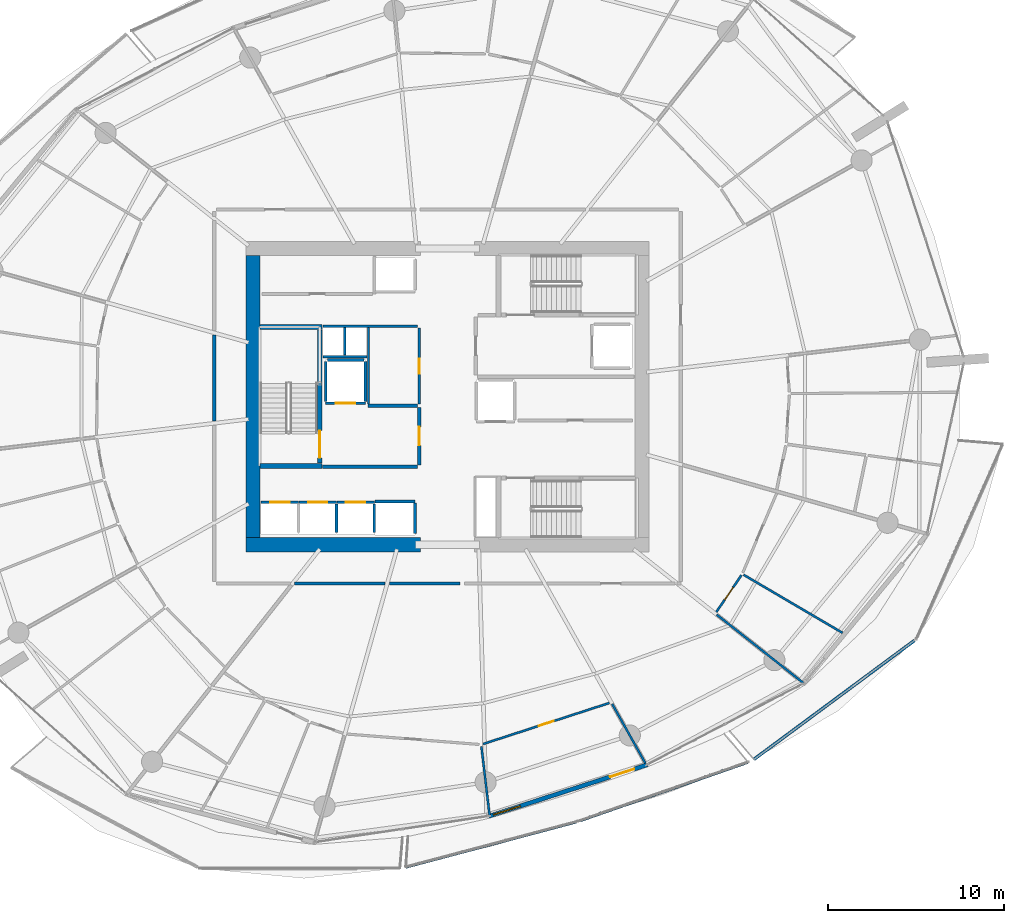
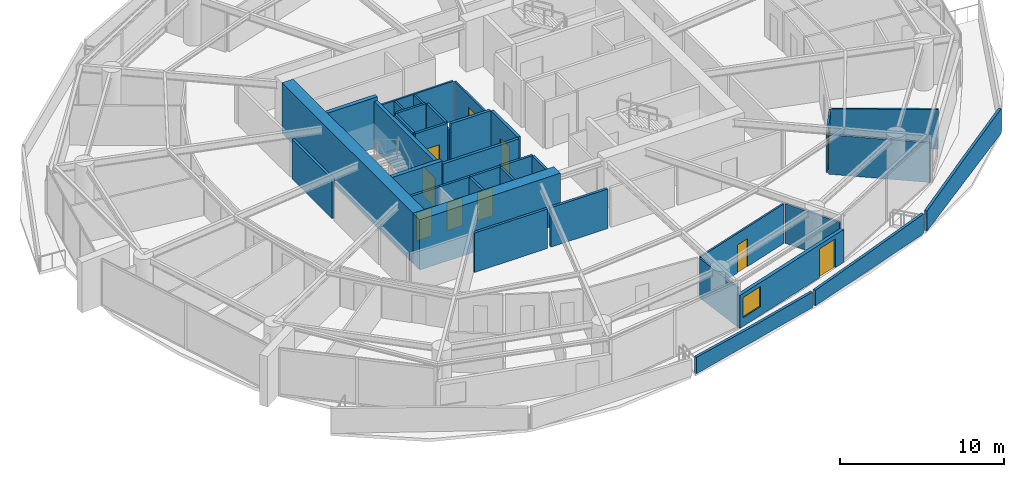
# One storey, part 12 of 22: 37 walls, 10 doors, 1 window, 11 openings.
"""IFC4 building model written with IfcOpenShell, lengths in metres."""

from ifc_helpers import new_model, si_unit, direction, frame, frame_2d, origin, place, context, subcontext, project, spatial, polyline, rectangle, outline, extrude, material, layer, layer_set, type_object, element, fill, save


model = new_model("IFC4")

# Units and contexts
model_context = context("Model", 3, precision=1e-05, world=origin(), true_north=direction((0.0, 1.0)))
body_context = subcontext(model_context, "Body", "Model", "MODEL_VIEW")
ifc_project = project(units=[si_unit("LENGTHUNIT", "METRE"), si_unit("AREAUNIT", "SQUARE_METRE"), si_unit("VOLUMEUNIT", "CUBIC_METRE"), si_unit("PLANEANGLEUNIT", "RADIAN"), si_unit("MASSUNIT", "GRAM", prefix="KILO")], contexts=[model_context])

# Site, building, storey
site_placement = place(None, origin())
site = spatial("IfcSite", under=ifc_project, at=site_placement, CompositionType="ELEMENT")
building_placement = place(site_placement, origin())
building = spatial("IfcBuilding", under=site, at=building_placement, Name="Kazma Halo Residences", CompositionType="ELEMENT")
storey_placement = place(building_placement, frame((0.0, 0.0, 90.14990234375)))
storey = spatial("IfcBuildingStorey", under=building, at=storey_placement, Name="L22", CompositionType="ELEMENT", Elevation=90.14990234375)

# Walls
ifc_material_1 = material(Name="White Concrete C50/60 Balustrade", Category="concrete")
ifc_layer_1 = layer(ifc_material_1, 0.179931640625)
ifc_layer_set_1 = layer_set([ifc_layer_1], Name="White Concrete C50/60 Balustrade")
wall_type_1 = type_object("IfcWallType", Name="WL-BAL-WAVE-180", PredefinedType="PARAPET", material=ifc_layer_set_1)
wall_1_placement = place(storey_placement, frame((46.064697265625, 15.327880859375, 0.0), z_axis=(0.0, 0.0, 1.0), x_axis=(0.966557844724, 0.25644869429, 0.0)))
element("IfcWall", 1, at=wall_1_placement, inside=storey, type_object=wall_type_1, Name="L22 white wave balustrade wall SSE.1", PredefinedType="PARAPET", context=body_context, shape_type="SweptSolid", body=[
    extrude(outline(polyline([(0.0, 0.0), (9.97802734375, 0.0), (9.977783203125, 1.148193359375), (4.989013671875, 1.127197265625), (0.0, 1.22412109375), (0.0, 0.0)])), frame((0.0, 0.08984375, 0.0), z_axis=(0.0, -1.0, 0.0), x_axis=(1.0, 0.0, 0.0)), (0.0, 0.0, 1.0), 0.179931640625),
])
wall_2_placement = place(storey_placement, frame((55.938232421875, 17.95703125, 0.0), z_axis=(0.0, 0.0, 1.0), x_axis=(0.944336605893, 0.328980812161, 0.0)))
element("IfcWall", 2, at=wall_2_placement, inside=storey, type_object=wall_type_1, Name="L22 white wave balustrade wall SSE.2", PredefinedType="PARAPET", context=body_context, shape_type="SweptSolid", body=[
    extrude(outline(polyline([(0.0, 0.0), (10.102294921875, 0.0), (10.102294921875, 1.483154296875), (5.05126953125, 1.2841796875), (0.0, 1.148193359375), (0.0, 0.0)])), frame((0.0, 0.08984375, 0.0), z_axis=(0.0, -1.0, 0.0), x_axis=(1.0, 0.0, 0.0)), (0.0, 0.0, 1.0), 0.179931640625),
])
wall_3_placement = place(storey_placement, frame((65.7919921875, 21.424072265625, 0.0), z_axis=(0.0, 0.0, 1.0), x_axis=(0.803659411402, 0.59508953147, 0.0)))
element("IfcWall", 3, at=wall_3_placement, inside=storey, type_object=wall_type_1, Name="L22 white wave balustrade wall SE.1", PredefinedType="PARAPET", context=body_context, shape_type="SweptSolid", body=[
    extrude(outline(polyline([(0.0, 0.0), (11.337890625, 0.0), (11.337890625, 1.83203125), (5.6689453125, 1.696044921875), (0.0, 1.4970703125), (0.0, 0.0)])), frame((0.0, 0.08984375, 0.0), z_axis=(0.0, -1.0, 0.0), x_axis=(1.0, 0.0, 0.0)), (0.0, 0.0, 1.0), 0.179931640625),
])
ifc_material_2 = material(Name="Concrete C80/95", Category="concrete")
ifc_layer_2 = layer(ifc_material_2, 0.800048828125)
ifc_layer_set_2 = layer_set([ifc_layer_2], Name="Concrete C80/95")
wall_type_2 = type_object("IfcWallType", Name="WL-CORE-800", PredefinedType="SHEAR", material=ifc_layer_set_2)
wall_4_placement = place(storey_placement, frame((37.0, 33.60009765625, 0.0), z_axis=(0.0, 0.0, 1.0), x_axis=(1.0, 0.0, 0.0)))
element("IfcWall", 4, at=wall_4_placement, inside=storey, type_object=wall_type_2, Name="L22 central core shear wall SW", PredefinedType="SHEAR", context=body_context, shape_type="SweptSolid", body=[
    extrude(rectangle(XDim=9.89990234375, YDim=0.800048828125, at=frame_2d((4.949951171875, 0.0))), origin(), (0.0, 0.0, 1.0), 3.75),
])
wall_5_placement = place(storey_placement, frame((37.39990234375, 34.0, 0.0), z_axis=(0.0, 0.0, 1.0), x_axis=(0.0, 1.0, 0.0)))
element("IfcWall", 5, at=wall_5_placement, inside=storey, type_object=wall_type_2, Name="L22 central core shear wall W", PredefinedType="SHEAR", context=body_context, shape_type="SweptSolid", body=[
    extrude(rectangle(XDim=16.0, YDim=0.800048828125, at=frame_2d((8.0, 0.0))), origin(), (0.0, 0.0, 1.0), 3.75),
])
ifc_material_3 = material(Name="Concrete C60/75", Category="concrete")
ifc_layer_3 = layer(ifc_material_3, 0.280029296875)
ifc_layer_set_3 = layer_set([ifc_layer_3], Name="Concrete C60/75")
wall_type_3 = type_object("IfcWallType", Name="WL-CORE-ST-280", PredefinedType="SHEAR", material=ifc_layer_set_3)
for number, where, z_axis, x_axis, name in (
    (6, (37.800048828125, 38.06005859375, 0.0), (0.0, 0.0, 1.0), (1.0, 0.0, 0.0), "L22 stairwell bearing wall ST01-S"),
    (7, (37.800048828125, 45.93994140625, 0.0), (0.0, 0.0, 1.0), (1.0, 0.0, 0.0), "L22 stairwell bearing wall ST01-N"),
):
    element("IfcWall", number, at=place(storey_placement, frame(where, z_axis=z_axis, x_axis=x_axis)), inside=storey, type_object=wall_type_3, Name=name, PredefinedType="SHEAR", context=body_context, shape_type="SweptSolid", body=[
        extrude(rectangle(XDim=3.5, YDim=0.280029296875, at=frame_2d((1.75, 0.0))), origin(), (0.0, 0.0, 1.0), 3.75),
    ])
ifc_material_4 = material(Name="Acoustic Twin-Stud Gypsum")
ifc_layer_4 = layer(ifc_material_4, 0.179931640625)
ifc_layer_set_4 = layer_set([ifc_layer_4], Name="Acoustic Twin-Stud Gypsum")
wall_type_4 = type_object("IfcWallType", Name="WL-DEM-180", PredefinedType="PARTITIONING", material=ifc_layer_set_4)
wall_6_placement = place(storey_placement, frame((35.199951171875, 45.489990234375, 0.0), z_axis=(0.0, 0.0, 1.0), x_axis=(0.0, -1.0, 0.0)))
element("IfcWall", 8, at=wall_6_placement, inside=storey, type_object=wall_type_4, Name="L22 Apartment 1 inner wall 6", PredefinedType="PARTITIONING", context=body_context, shape_type="SweptSolid", body=[
    extrude(rectangle(XDim=4.885009765625, YDim=0.179931640625, at=frame_2d((2.4423828125, 0.0))), origin(), (0.0, 0.0, 1.0), 2.940185546875),
])
wall_7_placement = place(storey_placement, frame((39.763671875, 31.39990234375, 0.0), z_axis=(0.0, 0.0, 1.0), x_axis=(1.0, 0.0, 0.0)))
element("IfcWall", 9, at=wall_7_placement, inside=storey, type_object=wall_type_4, Name="L22 Apartment 2 inner wall 9", PredefinedType="PARTITIONING", context=body_context, shape_type="SweptSolid", body=[
    extrude(rectangle(XDim=5.126708984375, YDim=0.179931640625, at=frame_2d((2.5634765625, 0.0))), origin(), (0.0, 0.0, 1.0), 2.940185546875),
])
wall_8_placement = place(storey_placement, frame((45.130615234375, 31.39990234375, 0.0), z_axis=(0.0, 0.0, 1.0), x_axis=(1.0, 0.0, 0.0)))
element("IfcWall", 10, at=wall_8_placement, inside=storey, type_object=wall_type_4, Name="L22 Apartment 2 inner wall 10", PredefinedType="PARTITIONING", context=body_context, shape_type="SweptSolid", body=[
    extrude(rectangle(XDim=4.00390625, YDim=0.179931640625, at=frame_2d((2.001953125, 0.0))), origin(), (0.0, 0.0, 1.0), 2.940185546875),
])

# Wall, openings, door, window
ifc_material_5 = material(Name="Insulated Pale-Metal Composite Wall")
ifc_layer_5 = layer(ifc_material_5, 0.239990234375)
ifc_layer_set_5 = layer_set([ifc_layer_5], Name="Insulated Pale-Metal Composite Wall")
wall_type_5 = type_object("IfcWallType", Name="WL-EXT-HOST-240", PredefinedType="SOLIDWALL", material=ifc_layer_set_5)
wall_9_placement = place(storey_placement, frame((50.76708984375, 18.202880859375, 0.0), z_axis=(0.0, 0.0, 1.0), x_axis=(0.951052494852, 0.30902937083, 0.0)))
wall_9 = element("IfcWall", 11, at=wall_9_placement, inside=storey, type_object=wall_type_5, Name="L22 exterior terrace-access wall B12", PredefinedType="SOLIDWALL", context=body_context, shape_type="SweptSolid", body=[
    extrude(rectangle(XDim=9.44384765625, YDim=0.239990234375, at=frame_2d((4.721923828125, 0.0))), origin(), (0.0, 0.0, 1.0), 2.4501953125),
])
opening_1_placement = place(wall_9_placement, frame((7.223876953125, 0.0, 0.0)))
opening_1 = element("IfcOpeningElement", 12, at=opening_1_placement, cuts=wall_9, Name="Opening DTR-1600", PredefinedType="OPENING", context=body_context, shape_type="SweptSolid", body=[
    extrude(rectangle(XDim=1.449951171875, YDim=2.14990234375, at=frame_2d((0.72509765625, 1.074951171875))), frame((0.0, 0.1298828125, 0.0), z_axis=(0.0, -1.0, 0.0), x_axis=(1.0, 0.0, 0.0)), (0.0, 0.0, 1.0), 0.260009765625),
])
opening_2_placement = place(wall_9_placement, frame((0.280029296875, 0.0, 0.64990234375)))
opening_2 = element("IfcOpeningElement", 13, at=opening_2_placement, cuts=wall_9, Name="Opening W-1800", PredefinedType="OPENING", context=body_context, shape_type="SweptSolid", body=[
    extrude(rectangle(XDim=1.60009765625, YDim=1.5, at=frame_2d((0.800048828125, 0.75))), frame((0.0, 0.1298828125, 0.0), z_axis=(0.0, -1.0, 0.0), x_axis=(1.0, 0.0, 0.0)), (0.0, 0.0, 1.0), 0.260009765625),
])
ifc_material_6 = material(Name="Aluminium AW-6063 T6 Double-Glazed Terrace Door", Category="aluminium")
door_type_1 = type_object("IfcDoorType", Name="DR-EXT-TERR-1600", OperationType="NOTDEFINED", PredefinedType="DOOR", material=ifc_material_6)
door_1_placement = place(opening_1_placement, origin())
door_1 = element("IfcDoor", 14, at=door_1_placement, inside=storey, type_object=door_type_1, Name="L22 B12 balcony terrace door", OperationType="DOUBLE_DOOR_SLIDING", OverallHeight=2.14990234375, OverallWidth=1.449951171875, PredefinedType="DOOR", context=body_context, shape_type="SweptSolid", body=[
    extrude(rectangle(XDim=1.449951171875, YDim=2.14990234375, at=frame_2d((0.72509765625, 1.074951171875))), frame((0.0, 0.02490234375, 0.0), z_axis=(0.0, -1.0, 0.0), x_axis=(1.0, 0.0, 0.0)), (0.0, 0.0, 1.0), 0.050048828125),
])
fill(opening_1, door_1)
ifc_material_7 = material(Name="Clear Triple-Silver Low-E Glass in Aluminium AW-6063 T6 Frame", Category="aluminium")
window_type = type_object("IfcWindowType", Name="WIN-RES-1800", PartitioningType="DOUBLE_PANEL_VERTICAL", PredefinedType="WINDOW", material=ifc_material_7)
window_placement = place(opening_2_placement, origin())
window = element("IfcWindow", 15, at=window_placement, inside=storey, type_object=window_type, Name="L22 B12 apartment window", OverallHeight=1.5, OverallWidth=1.60009765625, PartitioningType="SINGLE_PANEL", PredefinedType="WINDOW", context=body_context, shape_type="SweptSolid", body=[
    extrude(rectangle(XDim=1.60009765625, YDim=1.5, at=frame_2d((0.800048828125, 0.75))), frame((0.0, 0.030029296875, 0.0), z_axis=(0.0, -1.0, 0.0), x_axis=(1.0, 0.0, 0.0)), (0.0, 0.0, 1.0), 0.06005859375),
])
fill(opening_2, window)

# Wall, opening, door
ifc_material_8 = material(Name="Fire-Rated Blockwork Masonry", Category="masonry")
ifc_layer_6 = layer(ifc_material_8, 0.199951171875)
ifc_layer_set_6 = layer_set([ifc_layer_6], Name="Fire-Rated Blockwork Masonry")
wall_type_6 = type_object("IfcWallType", Name="WL-FLB-200", PredefinedType="PARTITIONING", material=ifc_layer_set_6)
wall_10_placement = place(storey_placement, frame((37.864990234375, 36.0048828125, 0.0), z_axis=(0.0, 0.0, 1.0), x_axis=(1.0, 0.0, 0.0)))
wall_10 = element("IfcWall", 16, at=wall_10_placement, inside=storey, type_object=wall_type_6, Name="L22 lift shaft PL-01 front wall", PredefinedType="PARTITIONING", context=body_context, shape_type="SweptSolid", body=[
    extrude(rectangle(XDim=2.110107421875, YDim=0.159912109375, at=frame_2d((1.05517578125, 0.0))), origin(), (0.0, 0.0, 1.0), 3.5),
])
opening_3_placement = place(wall_10_placement, frame((0.5048828125, 0.0, 0.0)))
opening_3 = element("IfcOpeningElement", 17, at=opening_3_placement, cuts=wall_10, Name="Opening LD-PL-01", PredefinedType="OPENING", context=body_context, shape_type="SweptSolid", body=[
    extrude(rectangle(XDim=1.10009765625, YDim=2.10009765625, at=frame_2d((0.550048828125, 1.050048828125))), frame((0.0, 0.08984375, 0.0), z_axis=(0.0, -1.0, 0.0), x_axis=(1.0, 0.0, 0.0)), (0.0, 0.0, 1.0), 0.179931640625),
])
ifc_material_9 = material(Name="Stainless Steel Fire-Rated", Category="steel")
door_type_2 = type_object("IfcDoorType", Name="DR-LIFT-SLD-1100", OperationType="DOUBLE_DOOR_SLIDING", PredefinedType="DOOR", material=ifc_material_9)
door_2_placement = place(opening_3_placement, origin())
door_2 = element("IfcDoor", 18, at=door_2_placement, inside=storey, type_object=door_type_2, Name="L22 lift PL-01 sliding landing door", OperationType="DOUBLE_DOOR_SLIDING", OverallHeight=2.10009765625, OverallWidth=1.10009765625, PredefinedType="DOOR", context=body_context, shape_type="SweptSolid", body=[
    extrude(rectangle(XDim=1.10009765625, YDim=2.10009765625, at=frame_2d((0.550048828125, 1.050048828125))), frame((0.0, 0.02490234375, 0.0), z_axis=(0.0, -1.0, 0.0), x_axis=(1.0, 0.0, 0.0)), (0.0, 0.0, 1.0), 0.050048828125),
])
fill(opening_3, door_2)

wall_11_placement = place(storey_placement, frame((40.014892578125, 36.0048828125, 0.0), z_axis=(0.0, 0.0, 1.0), x_axis=(1.0, 0.0, 0.0)))
wall_11 = element("IfcWall", 19, at=wall_11_placement, inside=storey, type_object=wall_type_6, Name="L22 lift shaft PL-02 front wall", PredefinedType="PARTITIONING", context=body_context, shape_type="SweptSolid", body=[
    extrude(rectangle(XDim=2.110107421875, YDim=0.159912109375, at=frame_2d((1.05517578125, 0.0))), origin(), (0.0, 0.0, 1.0), 3.5),
])
opening_4_placement = place(wall_11_placement, frame((0.5048828125, 0.0, 0.0)))
opening_4 = element("IfcOpeningElement", 20, at=opening_4_placement, cuts=wall_11, Name="Opening LD-PL-02", PredefinedType="OPENING", context=body_context, shape_type="SweptSolid", body=[
    extrude(rectangle(XDim=1.10009765625, YDim=2.10009765625, at=frame_2d((0.550048828125, 1.050048828125))), frame((0.0, 0.08984375, 0.0), z_axis=(0.0, -1.0, 0.0), x_axis=(1.0, 0.0, 0.0)), (0.0, 0.0, 1.0), 0.179931640625),
])
door_3_placement = place(opening_4_placement, origin())
door_3 = element("IfcDoor", 21, at=door_3_placement, inside=storey, type_object=door_type_2, Name="L22 lift PL-02 sliding landing door", OperationType="DOUBLE_DOOR_SLIDING", OverallHeight=2.10009765625, OverallWidth=1.10009765625, PredefinedType="DOOR", context=body_context, shape_type="SweptSolid", body=[
    extrude(rectangle(XDim=1.10009765625, YDim=2.10009765625, at=frame_2d((0.550048828125, 1.050048828125))), frame((0.0, 0.02490234375, 0.0), z_axis=(0.0, -1.0, 0.0), x_axis=(1.0, 0.0, 0.0)), (0.0, 0.0, 1.0), 0.050048828125),
])
fill(opening_4, door_3)

# Wall
wall_12_placement = place(storey_placement, frame((42.125, 34.294921875, 0.0), z_axis=(0.0, 0.0, 1.0), x_axis=(0.0, 1.0, 0.0)))
element("IfcWall", 22, at=wall_12_placement, inside=storey, type_object=wall_type_6, Name="L22 lift shaft PL-02 side wall E", PredefinedType="PARTITIONING", context=body_context, shape_type="SweptSolid", body=[
    extrude(rectangle(XDim=1.610107421875, YDim=0.159912109375, at=frame_2d((0.80517578125, 0.0))), origin(), (0.0, 0.0, 1.0), 3.5),
])

# Wall, opening, door
wall_13_placement = place(storey_placement, frame((42.1650390625, 36.0048828125, 0.0), z_axis=(0.0, 0.0, 1.0), x_axis=(1.0, 0.0, 0.0)))
wall_13 = element("IfcWall", 23, at=wall_13_placement, inside=storey, type_object=wall_type_6, Name="L22 lift shaft PL-03 front wall", PredefinedType="PARTITIONING", context=body_context, shape_type="SweptSolid", body=[
    extrude(rectangle(XDim=2.10986328125, YDim=0.159912109375, at=frame_2d((1.054931640625, 0.0))), origin(), (0.0, 0.0, 1.0), 3.5),
])
opening_5_placement = place(wall_13_placement, frame((0.5048828125, 0.0, 0.0)))
opening_5 = element("IfcOpeningElement", 24, at=opening_5_placement, cuts=wall_13, Name="Opening LD-PL-03", PredefinedType="OPENING", context=body_context, shape_type="SweptSolid", body=[
    extrude(rectangle(XDim=1.10009765625, YDim=2.10009765625, at=frame_2d((0.550048828125, 1.050048828125))), frame((0.0, 0.08984375, 0.0), z_axis=(0.0, -1.0, 0.0), x_axis=(1.0, 0.0, 0.0)), (0.0, 0.0, 1.0), 0.179931640625),
])
door_4_placement = place(opening_5_placement, origin())
door_4 = element("IfcDoor", 25, at=door_4_placement, inside=storey, type_object=door_type_2, Name="L22 lift PL-03 sliding landing door", OperationType="DOUBLE_DOOR_SLIDING", OverallHeight=2.10009765625, OverallWidth=1.10009765625, PredefinedType="DOOR", context=body_context, shape_type="SweptSolid", body=[
    extrude(rectangle(XDim=1.10009765625, YDim=2.10009765625, at=frame_2d((0.550048828125, 1.050048828125))), frame((0.0, 0.02490234375, 0.0), z_axis=(0.0, -1.0, 0.0), x_axis=(1.0, 0.0, 0.0)), (0.0, 0.0, 1.0), 0.050048828125),
])
fill(opening_5, door_4)

# Walls
wall_14_placement = place(storey_placement, frame((44.27490234375, 34.294921875, 0.0), z_axis=(0.0, 0.0, 1.0), x_axis=(0.0, 1.0, 0.0)))
element("IfcWall", 26, at=wall_14_placement, inside=storey, type_object=wall_type_6, Name="L22 lift shaft PL-03 side wall E", PredefinedType="PARTITIONING", context=body_context, shape_type="SweptSolid", body=[
    extrude(rectangle(XDim=1.610107421875, YDim=0.159912109375, at=frame_2d((0.80517578125, 0.0))), origin(), (0.0, 0.0, 1.0), 3.5),
])
wall_15_placement = place(storey_placement, frame((44.320068359375, 36.054931640625, 0.0), z_axis=(0.0, 0.0, 1.0), x_axis=(1.0, 0.0, 0.0)))
element("IfcWall", 27, at=wall_15_placement, inside=storey, type_object=wall_type_6, Name="L22 lift shaft PX-02 front wall", PredefinedType="PARTITIONING", context=body_context, shape_type="SweptSolid", body=[
    extrude(rectangle(XDim=2.260009765625, YDim=0.159912109375, at=frame_2d((1.1298828125, 0.0))), origin(), (0.0, 0.0, 1.0), 3.5),
])
wall_16_placement = place(storey_placement, frame((46.580078125, 34.2451171875, 0.0), z_axis=(0.0, 0.0, 1.0), x_axis=(0.0, 1.0, 0.0)))
element("IfcWall", 28, at=wall_16_placement, inside=storey, type_object=wall_type_6, Name="L22 lift shaft PX-02 side wall E", PredefinedType="PARTITIONING", context=body_context, shape_type="SweptSolid", body=[
    extrude(rectangle(XDim=1.7099609375, YDim=0.159912109375, at=frame_2d((0.85498046875, 0.0))), origin(), (0.0, 0.0, 1.0), 3.5),
])

# Wall, opening, door
wall_17_placement = place(storey_placement, frame((43.780029296875, 41.6201171875, 0.0), z_axis=(0.0, 0.0, 1.0), x_axis=(-1.0, 0.0, 0.0)))
wall_17 = element("IfcWall", 29, at=wall_17_placement, inside=storey, type_object=wall_type_6, Name="L22 lift shaft FL-01 front wall", PredefinedType="PARTITIONING", context=body_context, shape_type="SweptSolid", body=[
    extrude(rectangle(XDim=2.260009765625, YDim=0.159912109375, at=frame_2d((1.1298828125, 0.0))), origin(), (0.0, 0.0, 1.0), 3.5),
])
opening_6_placement = place(wall_17_placement, frame((0.580078125, 0.0, 0.0)))
opening_6 = element("IfcOpeningElement", 30, at=opening_6_placement, cuts=wall_17, Name="Opening LD-FL-01", PredefinedType="OPENING", context=body_context, shape_type="SweptSolid", body=[
    extrude(rectangle(XDim=1.10009765625, YDim=2.10009765625, at=frame_2d((0.550048828125, 1.050048828125))), frame((0.0, 0.08984375, 0.0), z_axis=(0.0, -1.0, 0.0), x_axis=(1.0, 0.0, 0.0)), (0.0, 0.0, 1.0), 0.179931640625),
])
door_5_placement = place(opening_6_placement, origin())
door_5 = element("IfcDoor", 31, at=door_5_placement, inside=storey, type_object=door_type_2, Name="L22 lift FL-01 sliding landing door", OperationType="DOUBLE_DOOR_SLIDING", OverallHeight=2.10009765625, OverallWidth=1.10009765625, PredefinedType="DOOR", context=body_context, shape_type="SweptSolid", body=[
    extrude(rectangle(XDim=1.10009765625, YDim=2.10009765625, at=frame_2d((0.550048828125, 1.050048828125))), frame((0.0, 0.02490234375, 0.0), z_axis=(0.0, -1.0, 0.0), x_axis=(1.0, 0.0, 0.0)), (0.0, 0.0, 1.0), 0.050048828125),
])
fill(opening_6, door_5)

# Walls
for number, where, z_axis, x_axis, name in (
    (32, (43.780029296875, 41.719970703125, 0.0), (0.0, 0.0, 1.0), (0.0, 1.0, 0.0), "L22 lift shaft FL-01 side wall E"),
    (33, (41.52001953125, 41.719970703125, 0.0), (0.0, 0.0, 1.0), (0.0, 1.0, 0.0), "L22 lift shaft FL-01 side wall W"),
):
    element("IfcWall", number, at=place(storey_placement, frame(where, z_axis=z_axis, x_axis=x_axis)), inside=storey, type_object=wall_type_6, Name=name, PredefinedType="PARTITIONING", context=body_context, shape_type="SweptSolid", body=[
        extrude(rectangle(XDim=2.260009765625, YDim=0.159912109375, at=frame_2d((1.1298828125, 0.0))), origin(), (0.0, 0.0, 1.0), 3.5),
    ])
wall_18_placement = place(storey_placement, frame((41.6201171875, 44.080078125, 0.0), z_axis=(0.0, 0.0, 1.0), x_axis=(1.0, 0.0, 0.0)))
element("IfcWall", 34, at=wall_18_placement, inside=storey, type_object=wall_type_6, Name="L22 lift shaft FL-01 side wall N", PredefinedType="PARTITIONING", context=body_context, shape_type="SweptSolid", body=[
    extrude(rectangle(XDim=2.059814453125, YDim=0.159912109375, at=frame_2d((1.02978515625, 0.0))), origin(), (0.0, 0.0, 1.0), 3.5),
])
wall_19_placement = place(storey_placement, frame((41.35009765625, 38.02001953125, 0.0), z_axis=(0.0, 0.0, 1.0), x_axis=(1.0, 0.0, 0.0)))
element("IfcWall", 35, at=wall_19_placement, inside=storey, type_object=wall_type_6, Name="L22 west firefighting lobby south smoke wall", PredefinedType="PARTITIONING", context=body_context, shape_type="SweptSolid", body=[
    extrude(rectangle(XDim=5.369873046875, YDim=0.199951171875, at=frame_2d((2.68505859375, 0.0))), origin(), (0.0, 0.0, 1.0), 3.5),
])
wall_20_placement = place(storey_placement, frame((43.919921875, 41.47998046875, 0.0), z_axis=(0.0, 0.0, 1.0), x_axis=(1.0, 0.0, 0.0)))
element("IfcWall", 36, at=wall_20_placement, inside=storey, type_object=wall_type_6, Name="L22 west firefighting lobby north smoke wall", PredefinedType="PARTITIONING", context=body_context, shape_type="SweptSolid", body=[
    extrude(rectangle(XDim=2.800048828125, YDim=0.199951171875, at=frame_2d((1.39990234375, 0.0))), origin(), (0.0, 0.0, 1.0), 3.5),
])

# Wall, opening, door
wall_21_placement = place(storey_placement, frame((46.820068359375, 38.1201171875, 0.0), z_axis=(0.0, 0.0, 1.0), x_axis=(0.0, 1.0, 0.0)))
wall_21 = element("IfcWall", 37, at=wall_21_placement, inside=storey, type_object=wall_type_6, Name="L22 west firefighting lobby smoke wall", PredefinedType="PARTITIONING", context=body_context, shape_type="SweptSolid", body=[
    extrude(rectangle(XDim=3.259765625, YDim=0.199951171875, at=frame_2d((1.6298828125, 0.0))), origin(), (0.0, 0.0, 1.0), 3.5),
])
opening_7_placement = place(wall_21_placement, frame((1.10498046875, 0.0, 0.0)))
opening_7 = element("IfcOpeningElement", 38, at=opening_7_placement, cuts=wall_21, Name="Opening D-FLW", PredefinedType="OPENING", context=body_context, shape_type="SweptSolid", body=[
    extrude(rectangle(XDim=1.050048828125, YDim=2.10009765625, at=frame_2d((0.52490234375, 1.050048828125))), frame((0.0, 0.10986328125, 0.0), z_axis=(0.0, -1.0, 0.0), x_axis=(1.0, 0.0, 0.0)), (0.0, 0.0, 1.0), 0.219970703125),
])
ifc_material_10 = material(Name="Fire-Rated Steel Leaf", Category="steel")
door_type_3 = type_object("IfcDoorType", Name="DR-FD90-1050", OperationType="NOTDEFINED", PredefinedType="DOOR", material=ifc_material_10)
door_6_placement = place(opening_7_placement, origin())
door_6 = element("IfcDoor", 39, at=door_6_placement, inside=storey, type_object=door_type_3, Name="L22 west firefighting lobby smoke door", OperationType="SINGLE_SWING_LEFT", OverallHeight=2.10009765625, OverallWidth=1.050048828125, PredefinedType="DOOR", context=body_context, shape_type="SweptSolid", body=[
    extrude(rectangle(XDim=1.050048828125, YDim=2.10009765625, at=frame_2d((0.52490234375, 1.050048828125))), frame((0.0, 0.02490234375, 0.0), z_axis=(0.0, -1.0, 0.0), x_axis=(1.0, 0.0, 0.0)), (0.0, 0.0, 1.0), 0.050048828125),
])
fill(opening_7, door_6)

# Walls
ifc_material_11 = material(Name="Gypsum Plasterboard Partition")
ifc_layer_7 = layer(ifc_material_11, 0.125)
ifc_layer_set_7 = layer_set([ifc_layer_7], Name="Gypsum Plasterboard Partition")
wall_type_7 = type_object("IfcWallType", Name="WL-PART-125", PredefinedType="PARTITIONING", material=ifc_layer_set_7)
wall_22_placement = place(storey_placement, frame((41.360107421875, 45.97998046875, 0.0), z_axis=(0.0, 0.0, 1.0), x_axis=(1.0, 0.0, 0.0)))
element("IfcWall", 40, at=wall_22_placement, inside=storey, type_object=wall_type_7, Name="L22 core north riser wall", PredefinedType="PARTITIONING", context=body_context, shape_type="SweptSolid", body=[
    extrude(rectangle(XDim=5.35986328125, YDim=0.125, at=frame_2d((2.679931640625, 0.0))), origin(), (0.0, 0.0, 1.0), 2.940185546875),
])
wall_23_placement = place(storey_placement, frame((41.360107421875, 44.260009765625, 0.0), z_axis=(0.0, 0.0, 1.0), x_axis=(1.0, 0.0, 0.0)))
element("IfcWall", 41, at=wall_23_placement, inside=storey, type_object=wall_type_7, Name="L22 core riser south wall", PredefinedType="PARTITIONING", context=body_context, shape_type="SweptSolid", body=[
    extrude(rectangle(XDim=2.5, YDim=0.125, at=frame_2d((1.25, 0.0))), origin(), (0.0, 0.0, 1.0), 2.940185546875),
])
wall_24_placement = place(storey_placement, frame((42.60009765625, 44.35009765625, 0.0), z_axis=(0.0, 0.0, 1.0), x_axis=(0.0, 1.0, 0.0)))
element("IfcWall", 42, at=wall_24_placement, inside=storey, type_object=wall_type_7, Name="L22 core riser divider wall", PredefinedType="PARTITIONING", context=body_context, shape_type="SweptSolid", body=[
    extrude(rectangle(XDim=1.5498046875, YDim=0.125, at=frame_2d((0.77490234375, 0.0))), origin(), (0.0, 0.0, 1.0), 2.940185546875),
])
wall_25_placement = place(storey_placement, frame((43.949951171875, 41.580078125, 0.0), z_axis=(0.0, 0.0, 1.0), x_axis=(0.0, 1.0, 0.0)))
element("IfcWall", 43, at=wall_25_placement, inside=storey, type_object=wall_type_7, Name="L22 core service west wall", PredefinedType="PARTITIONING", context=body_context, shape_type="SweptSolid", body=[
    extrude(rectangle(XDim=4.31982421875, YDim=0.125, at=frame_2d((2.159912109375, 0.0))), origin(), (0.0, 0.0, 1.0), 2.940185546875),
])

# Wall, opening, door
wall_26_placement = place(storey_placement, frame((46.820068359375, 41.580078125, 0.0), z_axis=(0.0, 0.0, 1.0), x_axis=(0.0, 1.0, 0.0)))
wall_26 = element("IfcWall", 44, at=wall_26_placement, inside=storey, type_object=wall_type_7, Name="L22 core service room east wall", PredefinedType="PARTITIONING", context=body_context, shape_type="SweptSolid", body=[
    extrude(rectangle(XDim=4.2998046875, YDim=0.125, at=frame_2d((2.14990234375, 0.0))), origin(), (0.0, 0.0, 1.0), 2.940185546875),
])
opening_8_placement = place(wall_26_placement, frame((1.72509765625, 0.0, 0.0)))
opening_8 = element("IfcOpeningElement", 45, at=opening_8_placement, cuts=wall_26, Name="Opening DS-850", PredefinedType="OPENING", context=body_context, shape_type="SweptSolid", body=[
    extrude(rectangle(XDim=0.85009765625, YDim=2.06005859375, at=frame_2d((0.425048828125, 1.030029296875))), frame((0.0, 0.072509765625, 0.0), z_axis=(0.0, -1.0, 0.0), x_axis=(1.0, 0.0, 0.0)), (0.0, 0.0, 1.0), 0.14501953125),
])
ifc_material_12 = material(Name="Painted Steel Access Leaf", Category="steel")
door_type_4 = type_object("IfcDoorType", Name="DR-SVC-850", OperationType="NOTDEFINED", PredefinedType="DOOR", material=ifc_material_12)
door_7_placement = place(opening_8_placement, origin())
door_7 = element("IfcDoor", 46, at=door_7_placement, inside=storey, type_object=door_type_4, Name="L22 core service room door", OperationType="SINGLE_SWING_LEFT", OverallHeight=2.06005859375, OverallWidth=0.85009765625, PredefinedType="DOOR", context=body_context, shape_type="SweptSolid", body=[
    extrude(rectangle(XDim=0.85009765625, YDim=2.06005859375, at=frame_2d((0.425048828125, 1.030029296875))), frame((0.0, 0.02490234375, 0.0), z_axis=(0.0, -1.0, 0.0), x_axis=(1.0, 0.0, 0.0)), (0.0, 0.0, 1.0), 0.050048828125),
])
fill(opening_8, door_7)

# Walls
wall_27_placement = place(storey_placement, frame((50.347412109375, 22.16650390625, 0.0), z_axis=(0.0, 0.0, 1.0), x_axis=(0.117544011215, -0.993067674143, 0.0)))
element("IfcWall", 47, at=wall_27_placement, inside=storey, type_object=wall_type_7, Name="L22 Apartment 2 radial partition 11", PredefinedType="PARTITIONING", context=body_context, shape_type="SweptSolid", body=[
    extrude(rectangle(XDim=3.950439453125, YDim=0.125, at=frame_2d((1.97509765625, 0.0))), origin(), (0.0, 0.0, 1.0), 2.940185546875),
])
wall_28_placement = place(storey_placement, frame((57.7587890625, 24.57470703125, 0.0), z_axis=(0.0, 0.0, 1.0), x_axis=(0.488595646066, -0.87251034071, 0.0)))
element("IfcWall", 48, at=wall_28_placement, inside=storey, type_object=wall_type_7, Name="L22 Apartment 2 living radial partition 11", PredefinedType="PARTITIONING", context=body_context, shape_type="SweptSolid", body=[
    extrude(rectangle(XDim=3.8505859375, YDim=0.125, at=frame_2d((1.92529296875, 0.0))), origin(), (0.0, 0.0, 1.0), 2.940185546875),
])

# Wall, opening, door
wall_29_placement = place(storey_placement, frame((50.440185546875, 22.2998046875, 0.0), z_axis=(0.0, 0.0, 1.0), x_axis=(0.951063594717, 0.308995208383, 0.0)))
wall_29 = element("IfcWall", 49, at=wall_29_placement, inside=storey, type_object=wall_type_7, Name="L22 Apartment 2 West Master Bedroom gallery wall", PredefinedType="PARTITIONING", context=body_context, shape_type="SweptSolid", body=[
    extrude(rectangle(XDim=7.53369140625, YDim=0.125, at=frame_2d((3.766845703125, 0.0))), origin(), (0.0, 0.0, 1.0), 2.940185546875),
])
opening_9_placement = place(wall_29_placement, frame((3.31689453125, 0.0, 0.0)))
opening_9 = element("IfcOpeningElement", 50, at=opening_9_placement, cuts=wall_29, Name="Opening DI-950", PredefinedType="OPENING", context=body_context, shape_type="SweptSolid", body=[
    extrude(rectangle(XDim=0.89990234375, YDim=2.080078125, at=frame_2d((0.449951171875, 1.0400390625))), frame((0.0, 0.072509765625, 0.0), z_axis=(0.0, -1.0, 0.0), x_axis=(1.0, 0.0, 0.0)), (0.0, 0.0, 1.0), 0.14501953125),
])
ifc_material_13 = material(Name="Timber Veneer Flush Leaf", Category="wood")
door_type_5 = type_object("IfcDoorType", Name="DR-INT-950", OperationType="NOTDEFINED", PredefinedType="DOOR", material=ifc_material_13)
door_8_placement = place(opening_9_placement, origin())
door_8 = element("IfcDoor", 51, at=door_8_placement, inside=storey, type_object=door_type_5, Name="L22 Apartment 2 West Master Bedroom door", OperationType="SINGLE_SWING_RIGHT", OverallHeight=2.080078125, OverallWidth=0.89990234375, PredefinedType="DOOR", context=body_context, shape_type="SweptSolid", body=[
    extrude(rectangle(XDim=0.89990234375, YDim=2.080078125, at=frame_2d((0.449951171875, 1.0400390625))), frame((0.0, 0.02490234375, 0.0), z_axis=(0.0, -1.0, 0.0), x_axis=(1.0, 0.0, 0.0)), (0.0, 0.0, 1.0), 0.050048828125),
])
fill(opening_9, door_8)

# Walls
wall_30_placement = place(storey_placement, frame((63.684326171875, 29.635498046875, 0.0), z_axis=(0.0, 0.0, 1.0), x_axis=(0.785296487737, -0.619119880434, 0.0)))
element("IfcWall", 52, at=wall_30_placement, inside=storey, type_object=wall_type_7, Name="L22 Apartment 2 radial partition 13", PredefinedType="PARTITIONING", context=body_context, shape_type="SweptSolid", body=[
    extrude(rectangle(XDim=6.265869140625, YDim=0.125, at=frame_2d((3.1328125, 0.0))), origin(), (0.0, 0.0, 1.0), 2.940185546875),
])
wall_31_placement = place(storey_placement, frame((65.214111328125, 31.892578125, 0.0), z_axis=(0.0, 0.0, 1.0), x_axis=(0.862328516234, -0.506349217527, 0.0)))
element("IfcWall", 53, at=wall_31_placement, inside=storey, type_object=wall_type_7, Name="L22 Apartment 2 mid-bay wall 13", PredefinedType="PARTITIONING", context=body_context, shape_type="SweptSolid", body=[
    extrude(rectangle(XDim=6.505859375, YDim=0.125, at=frame_2d((3.2529296875, 0.0))), origin(), (0.0, 0.0, 1.0), 2.940185546875),
])

# Wall, opening, door
wall_32_placement = place(storey_placement, frame((63.662109375, 29.780029296875, 0.0), z_axis=(0.0, 0.0, 1.0), x_axis=(0.56409306427, 0.825711217583, 0.0)))
wall_32 = element("IfcWall", 54, at=wall_32_placement, inside=storey, type_object=wall_type_7, Name="L22 Apartment 2 North Wine Pantry Store hall wall", PredefinedType="PARTITIONING", context=body_context, shape_type="SweptSolid", body=[
    extrude(rectangle(XDim=2.53369140625, YDim=0.125, at=frame_2d((1.266845703125, 0.0))), origin(), (0.0, 0.0, 1.0), 2.940185546875),
])
opening_10_placement = place(wall_32_placement, frame((0.841796875, 0.0, 0.0)))
opening_10 = element("IfcOpeningElement", 55, at=opening_10_placement, cuts=wall_32, Name="Opening DB-900", PredefinedType="OPENING", context=body_context, shape_type="SweptSolid", body=[
    extrude(rectangle(XDim=0.85009765625, YDim=2.06005859375, at=frame_2d((0.425048828125, 1.030029296875))), frame((0.0, 0.072509765625, 0.0), z_axis=(0.0, -1.0, 0.0), x_axis=(1.0, 0.0, 0.0)), (0.0, 0.0, 1.0), 0.14501953125),
])
ifc_material_14 = material(Name="Moisture-Sealed Timber Leaf", Category="wood")
door_type_6 = type_object("IfcDoorType", Name="DR-BTH-900", OperationType="NOTDEFINED", PredefinedType="DOOR", material=ifc_material_14)
door_9_placement = place(opening_10_placement, origin())
door_9 = element("IfcDoor", 56, at=door_9_placement, inside=storey, type_object=door_type_6, Name="L22 Apartment 2 North Wine Pantry Store door", OperationType="SINGLE_SWING_RIGHT", OverallHeight=2.06005859375, OverallWidth=0.85009765625, PredefinedType="DOOR", context=body_context, shape_type="SweptSolid", body=[
    extrude(rectangle(XDim=0.85009765625, YDim=2.06005859375, at=frame_2d((0.425048828125, 1.030029296875))), frame((0.0, 0.02490234375, 0.0), z_axis=(0.0, -1.0, 0.0), x_axis=(1.0, 0.0, 0.0)), (0.0, 0.0, 1.0), 0.050048828125),
])
fill(opening_10, door_9)

ifc_material_15 = material(Name="Concrete C50/60", Category="concrete")
ifc_layer_8 = layer(ifc_material_15, 0.25)
ifc_layer_set_8 = layer_set([ifc_layer_8], Name="Concrete C50/60")
wall_type_8 = type_object("IfcWallType", Name="WL-SHF-250", PredefinedType="SOLIDWALL", material=ifc_layer_set_8)
wall_33_placement = place(storey_placement, frame((41.179931640625, 38.219970703125, 0.0), z_axis=(0.0, 0.0, 1.0), x_axis=(0.0, 1.0, 0.0)))
wall_33 = element("IfcWall", 57, at=wall_33_placement, inside=storey, type_object=wall_type_8, Name="L22 exit stair ST-01 enclosure wall", PredefinedType="SOLIDWALL", context=body_context, shape_type="SweptSolid", body=[
    extrude(rectangle(XDim=7.56005859375, YDim=0.25, at=frame_2d((3.780029296875, 0.0))), origin(), (0.0, 0.0, 1.0), 3.5),
])
opening_11_placement = place(wall_33_placement, frame((0.300048828125, 0.0, 0.0)))
opening_11 = element("IfcOpeningElement", 58, at=opening_11_placement, cuts=wall_33, Name="Opening D-ST1", PredefinedType="OPENING", context=body_context, shape_type="SweptSolid", body=[
    extrude(rectangle(XDim=1.550048828125, YDim=2.14990234375, at=frame_2d((0.77490234375, 1.074951171875))), frame((0.0, 0.135009765625, 0.0), z_axis=(0.0, -1.0, 0.0), x_axis=(1.0, 0.0, 0.0)), (0.0, 0.0, 1.0), 0.27001953125),
])
ifc_material_16 = material(Name="Fire-Rated Double Steel Leaf", Category="steel")
door_type_7 = type_object("IfcDoorType", Name="DR-FD90-1550", OperationType="NOTDEFINED", PredefinedType="DOOR", material=ifc_material_16)
door_10_placement = place(opening_11_placement, origin())
door_10 = element("IfcDoor", 59, at=door_10_placement, inside=storey, type_object=door_type_7, Name="L22 exit stair ST-01 fire door", OperationType="DOUBLE_DOOR_SINGLE_SWING", OverallHeight=2.14990234375, OverallWidth=1.550048828125, PredefinedType="DOOR", context=body_context, shape_type="SweptSolid", body=[
    extrude(rectangle(XDim=1.550048828125, YDim=2.14990234375, at=frame_2d((0.77490234375, 1.074951171875))), frame((0.0, 0.02490234375, 0.0), z_axis=(0.0, -1.0, 0.0), x_axis=(1.0, 0.0, 0.0)), (0.0, 0.0, 1.0), 0.050048828125),
])
fill(opening_11, door_10)

save(model, "model.ifc")
